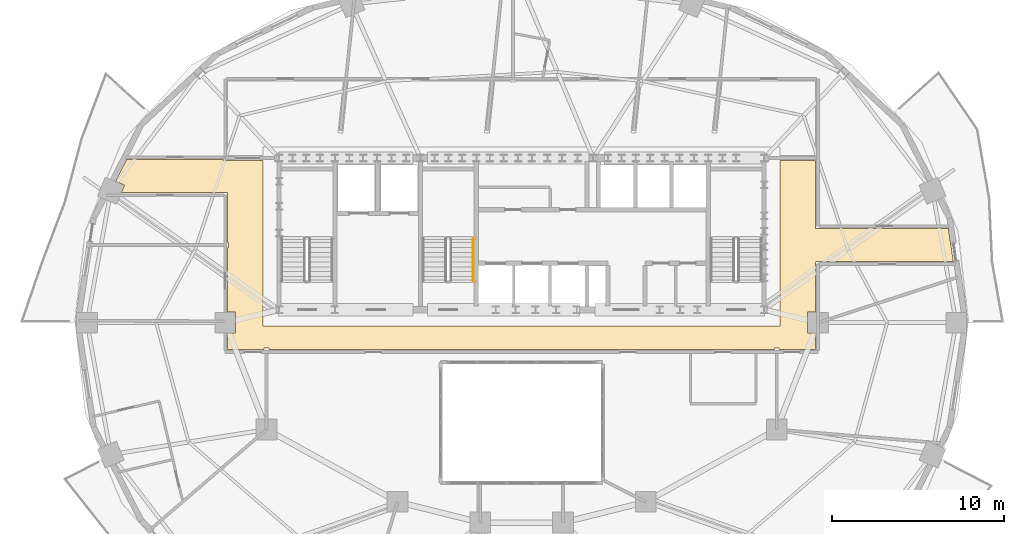
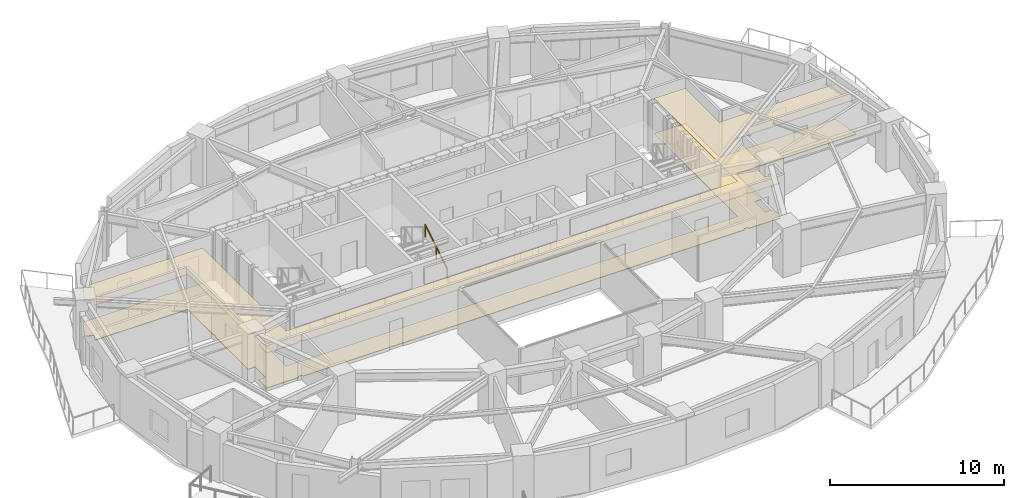
# One storey, part 11 of 13: 2 coverings, 1 railing.
"""IFC4 building model written with IfcOpenShell, lengths in metres."""

import ifcopenshell
import ifcopenshell.guid

model = None  # the IFC model being written
_history = None  # IfcOwnerHistory: only IFC2X3 demands one
_inside = {}  # id of a spatial element -> (the spatial element, [elements in it])
_under = {}  # id of a project, library or spatial element -> (it, [spatial elements below it])
_declared = {}  # id of a project -> (the project, [libraries it declares])
_typed = {}  # id of a type object -> (the type object, [elements of that type])
_made_of = {}  # id of a material, layer set ... -> (it, [elements and type objects made of it])


def new_model(schema):
    """Start an empty IFC model of exactly this schema.

    Asked for "IFC4X3", IfcOpenShell would pick the latest addendum, in which some entities
    have other attributes; the version numbers below select the first issue.
    IFC2X3 requires an IfcOwnerHistory on every rooted entity: one is made here for all.
    """
    global model, _history
    if schema == "IFC4X3":
        model = ifcopenshell.file(schema_version=(4, 3, 0, 0))
    else:
        model = ifcopenshell.file(schema=schema)
    _inside.clear()
    _under.clear()
    _declared.clear()
    _typed.clear()
    _made_of.clear()
    _history = None
    if model.schema == "IFC2X3":
        org = make("IfcOrganization", Name="unknown")
        user = make(
            "IfcPersonAndOrganization",
            ThePerson=make("IfcPerson", FamilyName="unknown"),
            TheOrganization=org,
        )
        app = make(
            "IfcApplication",
            ApplicationDeveloper=org,
            Version="unknown",
            ApplicationFullName="unknown",
            ApplicationIdentifier="unknown",
        )
        _history = make(
            "IfcOwnerHistory",
            OwningUser=user,
            OwningApplication=app,
            ChangeAction="ADDED",
            CreationDate=0,
        )
    return model


def make(cls, **values):
    """One entity of the class cls with the attributes given. An attribute that is None is left unset."""
    return model.create_entity(
        cls, **{name: value for name, value in values.items() if value is not None}
    )


def rooted(cls, **values):
    """An entity with a GlobalId (a new one), such as an element, a storey or a relation."""
    return make(cls, GlobalId=ifcopenshell.guid.new(), OwnerHistory=_history, **values)


def si_unit(unit_type, name, prefix=None):
    """IfcSIUnit, for example si_unit("LENGTHUNIT", "METRE", prefix="MILLI")."""
    return make("IfcSIUnit", UnitType=unit_type, Prefix=prefix, Name=name)


def assignment(units):
    """IfcUnitAssignment: the units of a project."""
    return None if units is None else make("IfcUnitAssignment", Units=units)


def point(xyz):
    """IfcCartesianPoint."""
    return None if xyz is None else make("IfcCartesianPoint", Coordinates=xyz)


def direction(xyz):
    """IfcDirection."""
    return None if xyz is None else make("IfcDirection", DirectionRatios=xyz)


def frame(location, z_axis=None, x_axis=None):
    """IfcAxis2Placement3D, a coordinate frame: its origin and axes. An axis left out is left unset."""
    return make(
        "IfcAxis2Placement3D",
        Location=point(location),
        Axis=direction(z_axis),
        RefDirection=direction(x_axis),
    )


def frame_2d(location, x_axis=None):
    """IfcAxis2Placement2D, a coordinate frame in the plane: its origin and x axis."""
    return make(
        "IfcAxis2Placement2D", Location=point(location), RefDirection=direction(x_axis)
    )


def origin():
    """The frame at (0, 0, 0) with its axes left unset."""
    return frame((0.0, 0.0, 0.0))


def origin_2d():
    """The frame at (0, 0) in the plane with its x axis left unset."""
    return frame_2d((0.0, 0.0))


def place(relative_to, where):
    """IfcLocalPlacement: puts the frame where relative to a parent placement (None: the world)."""
    return make(
        "IfcLocalPlacement", PlacementRelTo=relative_to, RelativePlacement=where
    )


def context(
    kind, dimensions, precision=None, world=None, true_north=None, identifier=None
):
    """IfcGeometricRepresentationContext, for example the 3D "Model" context."""
    return make(
        "IfcGeometricRepresentationContext",
        ContextIdentifier=identifier,
        ContextType=kind,
        CoordinateSpaceDimension=dimensions,
        Precision=precision,
        WorldCoordinateSystem=world,
        TrueNorth=true_north,
    )


def subcontext(parent, identifier, kind, view, scale=None):
    """IfcGeometricRepresentationSubContext, for example "Body" below "Model"."""
    return make(
        "IfcGeometricRepresentationSubContext",
        ContextIdentifier=identifier,
        ContextType=kind,
        ParentContext=parent,
        TargetScale=scale,
        TargetView=view,
    )


def project(units=None, contexts=None):
    """IfcProject with its units and contexts."""
    return rooted(
        "IfcProject",
        Name="project",
        RepresentationContexts=contexts,
        UnitsInContext=assignment(units),
    )


def spatial(cls, under=None, at=None, **own):
    """A site, building, storey or space (cls), placed at a placement, below another one or the project."""
    s = rooted(cls, ObjectPlacement=at, **own)
    if under is not None:
        _under.setdefault(under.id(), (under, []))[1].append(s)
    return s


def polyline(points):
    """IfcPolyline through the points."""
    return make("IfcPolyline", Points=[point(p) for p in points])


def profile(cls, at=None, kind="AREA", **sizes):
    """A parametric profile (cls). Its sizes go by their IFC names, for example OverallWidth=200.0."""
    return make(cls, ProfileType=kind, Position=at, **sizes)


def rectangle(**sizes):
    """IfcRectangleProfileDef."""
    return profile("IfcRectangleProfileDef", **sizes)


def outline(outer, holes=None, kind="AREA"):
    """IfcArbitraryClosedProfileDef: a profile drawn as a closed curve; with holes, ...WithVoids."""
    if holes is None:
        return make("IfcArbitraryClosedProfileDef", ProfileType=kind, OuterCurve=outer)
    return make(
        "IfcArbitraryProfileDefWithVoids",
        ProfileType=kind,
        OuterCurve=outer,
        InnerCurves=holes,
    )


def extrude(swept, where, along, depth):
    """IfcExtrudedAreaSolid: the profile swept, set in the frame where, extruded along a direction by depth."""
    return make(
        "IfcExtrudedAreaSolid",
        SweptArea=swept,
        Position=where,
        ExtrudedDirection=direction(along),
        Depth=depth,
    )


def shape(context_of_items, identifier, shape_type, items):
    """IfcShapeRepresentation: the items that make up one representation, for example the "Body"."""
    return make(
        "IfcShapeRepresentation",
        ContextOfItems=context_of_items,
        RepresentationIdentifier=identifier,
        RepresentationType=shape_type,
        Items=items,
    )


def material(Name=None, Category=None):
    """IfcMaterial."""
    return make("IfcMaterial", Name=Name, Category=Category)


def layer(
    of_material, thickness, ventilated=None, Name=None, Category=None, Priority=None
):
    """IfcMaterialLayer: one layer of a wall or slab, of a material (None: an air gap)."""
    return make(
        "IfcMaterialLayer",
        Material=of_material,
        LayerThickness=thickness,
        IsVentilated=ventilated,
        Name=Name,
        Category=Category,
        Priority=Priority,
    )


def layer_set(layers, Name=None):
    """IfcMaterialLayerSet."""
    return make("IfcMaterialLayerSet", MaterialLayers=layers, LayerSetName=Name)


def made_of(thing, what):
    """Note that an element or type object is made of a material, layer set ...; save() writes the relation."""
    if what is not None:
        _made_of.setdefault(what.id(), (what, []))[1].append(thing)
    return thing


def type_object(cls, material=None, **own):
    """A type object (cls), such as IfcWallType, which elements share."""
    return made_of(rooted(cls, **own), material)


def element(
    cls,
    number,
    at=None,
    inside=None,
    cuts=None,
    type_object=None,
    material=None,
    context=None,
    identifier="Body",
    shape_type=None,
    held_by="IfcProductDefinitionShape",
    body=None,
    shapes=None,
    **own,
):
    """One element of the class cls, such as IfcWall. Its Tag is "e" and its number.

    at: its placement. inside: the storey or other place that contains it. cuts: it is an
    opening in that element (IfcRelVoidsElement). A single representation is given by context,
    identifier, shape_type and body (its items); several are given by shapes. held_by: the class
    of the entity that holds the representations. save() writes the other relations.
    """
    e = rooted(cls, Tag="e%d" % number, ObjectPlacement=at, **own)
    if body is not None:
        shapes = [shape(context, identifier, shape_type, body)]
    if shapes is not None:
        e.Representation = make(held_by, Representations=shapes)
    if inside is not None:
        _inside.setdefault(inside.id(), (inside, []))[1].append(e)
    if cuts is not None:
        rooted(
            "IfcRelVoidsElement", RelatingBuildingElement=cuts, RelatedOpeningElement=e
        )
    if type_object is not None:
        _typed.setdefault(type_object.id(), (type_object, []))[1].append(e)
    return made_of(e, material)


def aggregate(whole, parts):
    """IfcRelAggregates: a whole, such as a stair, and the parts it consists of."""
    return rooted("IfcRelAggregates", RelatingObject=whole, RelatedObjects=parts)


def save(model, path):
    """Write the relations noted so far, then the file.

    IfcRelAggregates (storeys below a building ...), IfcRelContainedInSpatialStructure (elements
    in a storey), IfcRelDefinesByType, IfcRelAssociatesMaterial and IfcRelDeclares: one each for
    every whole, place, type object, material and project.
    """
    for whole, parts in _under.values():
        aggregate(whole, parts)
    for where, things in _inside.values():
        rooted(
            "IfcRelContainedInSpatialStructure",
            RelatedElements=things,
            RelatingStructure=where,
        )
    for kind, things in _typed.values():
        rooted("IfcRelDefinesByType", RelatedObjects=things, RelatingType=kind)
    for what, things in _made_of.values():
        rooted("IfcRelAssociatesMaterial", RelatedObjects=things, RelatingMaterial=what)
    for by, libraries in _declared.values():
        rooted("IfcRelDeclares", RelatingContext=by, RelatedDefinitions=libraries)
    model.write(path)


model = new_model("IFC4")

# Units and contexts
model_context = context("Model", 3, precision=1e-05, world=origin(), true_north=direction((0.0, 1.0)))
body_context = subcontext(model_context, "Body", "Model", "MODEL_VIEW")
ifc_project = project(units=[si_unit("LENGTHUNIT", "METRE"), si_unit("AREAUNIT", "SQUARE_METRE"), si_unit("VOLUMEUNIT", "CUBIC_METRE"), si_unit("PLANEANGLEUNIT", "RADIAN"), si_unit("MASSUNIT", "GRAM", prefix="KILO")], contexts=[model_context])

# Site, building, storey
site_placement = place(None, origin())
site = spatial("IfcSite", under=ifc_project, at=site_placement, CompositionType="ELEMENT")
building_placement = place(site_placement, origin())
building = spatial("IfcBuilding", under=site, at=building_placement, Name="Haldorwick Loom Tower", CompositionType="ELEMENT")
storey_placement = place(building_placement, frame((0.0, 0.0, 178.60009765625)))
storey = spatial("IfcBuildingStorey", under=building, at=storey_placement, Name="L48", CompositionType="ELEMENT", Elevation=178.60009765625)

# Coverings
ifc_material_1 = material(Name="Mineral Fibre Acoustic Ceiling Tile")
ifc_layer_1 = layer(ifc_material_1, 0.054931640625, Name="Mineral Fibre Acoustic Ceiling Tile")
ifc_layer_set_1 = layer_set([ifc_layer_1], Name="Mineral Fibre Acoustic Ceiling Tile")
covering_type_1 = type_object("IfcCoveringType", Name="ARC-COV-CEIL2", PredefinedType="CEILING", material=ifc_layer_set_1)
covering_1_placement = place(storey_placement, frame((0.0, 0.0, 2.4580078125)))
element("IfcCovering", 1, at=covering_1_placement, inside=storey, type_object=covering_type_1, Name="L48 Acoustic Suspended Ceiling 1", PredefinedType="CEILING", context=body_context, shape_type="SweptSolid", body=[
    extrude(outline(polyline([(12.439208984375, 34.19775390625), (12.958251953125, 33.982666015625), (12.77490234375, 33.5400390625), (18.919921875, 33.5400390625), (18.922119140625, 33.539794921875), (18.923828125, 33.53955078125), (18.92578125, 33.5390625), (18.927734375, 33.53857421875), (18.929443359375, 33.53759765625), (18.93115234375, 33.53662109375), (18.9326171875, 33.535400390625), (18.93408203125, 33.5341796875), (18.935546875, 33.53271484375), (18.9365234375, 33.531005859375), (18.9375, 33.529296875), (18.9384765625, 33.527587890625), (18.939208984375, 33.52587890625), (18.939697265625, 33.52392578125), (18.93994140625, 33.52197265625), (18.93994140625, 33.52001953125), (18.93994140625, 30.639892578125), (18.969970703125, 30.639892578125), (18.971923828125, 30.639892578125), (18.973876953125, 30.6396484375), (18.975830078125, 30.63916015625), (18.977783203125, 30.638427734375), (18.9794921875, 30.6376953125), (18.981201171875, 30.63671875), (18.982666015625, 30.635498046875), (18.984130859375, 30.634033203125), (18.985595703125, 30.6328125), (18.986572265625, 30.631103515625), (18.987548828125, 30.62939453125), (18.988525390625, 30.627685546875), (18.989013671875, 30.625732421875), (18.989501953125, 30.623779296875), (18.989990234375, 30.6220703125), (18.989990234375, 30.6201171875), (18.989990234375, 30.3798828125), (18.989990234375, 30.3779296875), (18.989501953125, 30.376220703125), (18.989013671875, 30.374267578125), (18.988525390625, 30.372314453125), (18.987548828125, 30.37060546875), (18.986572265625, 30.368896484375), (18.985595703125, 30.3671875), (18.984130859375, 30.365966796875), (18.982666015625, 30.364501953125), (18.981201171875, 30.36328125), (18.9794921875, 30.3623046875), (18.977783203125, 30.361572265625), (18.975830078125, 30.36083984375), (18.973876953125, 30.3603515625), (18.971923828125, 30.360107421875), (18.969970703125, 30.360107421875), (18.93994140625, 30.360107421875), (18.93994140625, 26.60791015625), (19.407958984375, 26.60791015625), (19.407958984375, 25.39208984375), (18.93994140625, 25.39208984375), (18.93994140625, 24.43994140625), (21.06005859375, 24.43994140625), (21.06005859375, 24.52001953125), (21.06005859375, 24.52197265625), (21.060302734375, 24.52392578125), (21.060791015625, 24.52587890625), (21.0615234375, 24.527587890625), (21.0625, 24.529296875), (21.0634765625, 24.531005859375), (21.064453125, 24.53271484375), (21.06591796875, 24.5341796875), (21.0673828125, 24.535400390625), (21.06884765625, 24.53662109375), (21.070556640625, 24.53759765625), (21.072265625, 24.53857421875), (21.07421875, 24.5390625), (21.076171875, 24.53955078125), (21.077880859375, 24.539794921875), (21.080078125, 24.5400390625), (21.320068359375, 24.5400390625), (21.322021484375, 24.539794921875), (21.323974609375, 24.53955078125), (21.32568359375, 24.5390625), (21.32763671875, 24.53857421875), (21.329345703125, 24.53759765625), (21.3310546875, 24.53662109375), (21.332763671875, 24.535400390625), (21.333984375, 24.5341796875), (21.33544921875, 24.53271484375), (21.336669921875, 24.531005859375), (21.337646484375, 24.529296875), (21.33837890625, 24.527587890625), (21.339111328125, 24.52587890625), (21.339599609375, 24.52392578125), (21.33984375, 24.52197265625), (21.340087890625, 24.52001953125), (21.340087890625, 24.43994140625), (50.659912109375, 24.43994140625), (50.659912109375, 24.52001953125), (50.66015625, 24.52197265625), (50.660400390625, 24.52392578125), (50.660888671875, 24.52587890625), (50.66162109375, 24.527587890625), (50.662353515625, 24.529296875), (50.663330078125, 24.531005859375), (50.66455078125, 24.53271484375), (50.666015625, 24.5341796875), (50.667236328125, 24.535400390625), (50.6689453125, 24.53662109375), (50.670654296875, 24.53759765625), (50.67236328125, 24.53857421875), (50.67431640625, 24.5390625), (50.676025390625, 24.53955078125), (50.677978515625, 24.539794921875), (50.679931640625, 24.5400390625), (50.919921875, 24.5400390625), (50.922119140625, 24.539794921875), (50.923828125, 24.53955078125), (50.92578125, 24.5390625), (50.927734375, 24.53857421875), (50.929443359375, 24.53759765625), (50.93115234375, 24.53662109375), (50.9326171875, 24.535400390625), (50.93408203125, 24.5341796875), (50.935546875, 24.53271484375), (50.9365234375, 24.531005859375), (50.9375, 24.529296875), (50.9384765625, 24.527587890625), (50.939208984375, 24.52587890625), (50.939697265625, 24.52392578125), (50.93994140625, 24.52197265625), (50.93994140625, 24.52001953125), (50.93994140625, 24.43994140625), (53.06005859375, 24.43994140625), (53.06005859375, 25.39208984375), (52.592041015625, 25.39208984375), (52.592041015625, 26.60791015625), (53.06005859375, 26.60791015625), (53.06005859375, 29.52001953125), (53.06005859375, 29.52197265625), (53.060302734375, 29.52392578125), (53.060791015625, 29.52587890625), (53.0615234375, 29.527587890625), (53.0625, 29.529296875), (53.0634765625, 29.531005859375), (53.064453125, 29.53271484375), (53.06591796875, 29.5341796875), (53.0673828125, 29.535400390625), (53.06884765625, 29.53662109375), (53.070556640625, 29.53759765625), (53.072265625, 29.53857421875), (53.07421875, 29.5390625), (53.076171875, 29.53955078125), (53.077880859375, 29.539794921875), (53.080078125, 29.5400390625), (61.051025390625, 29.5400390625), (60.758544921875, 31.4599609375), (53.080078125, 31.4599609375), (53.077880859375, 31.460205078125), (53.076171875, 31.46044921875), (53.07421875, 31.4609375), (53.072265625, 31.46142578125), (53.070556640625, 31.46240234375), (53.06884765625, 31.46337890625), (53.0673828125, 31.464599609375), (53.06591796875, 31.4658203125), (53.064453125, 31.46728515625), (53.0634765625, 31.468994140625), (53.0625, 31.470703125), (53.0615234375, 31.472412109375), (53.060791015625, 31.47412109375), (53.060302734375, 31.47607421875), (53.06005859375, 31.47802734375), (53.06005859375, 31.47998046875), (53.06005859375, 35.409912109375), (51.0, 35.409912109375), (51.0, 25.800048828125), (21.0, 25.800048828125), (21.0, 35.409912109375), (18.679931640625, 35.409912109375), (18.677978515625, 35.41015625), (18.676025390625, 35.410400390625), (18.67431640625, 35.410888671875), (18.67236328125, 35.41162109375), (18.670654296875, 35.412353515625), (18.6689453125, 35.413330078125), (18.667236328125, 35.41455078125), (18.666015625, 35.416015625), (18.66455078125, 35.417236328125), (18.663330078125, 35.4189453125), (18.662353515625, 35.420654296875), (18.66162109375, 35.42236328125), (18.660888671875, 35.42431640625), (18.660400390625, 35.426025390625), (18.66015625, 35.427978515625), (18.659912109375, 35.429931640625), (18.659912109375, 35.4599609375), (13.0810546875, 35.4599609375), (12.439208984375, 34.19775390625)])), origin(), (0.0, 0.0, 1.0), 0.054931640625),
])
ifc_material_2 = material(Name="Polished Aggregate Terrazzo Finish")
ifc_layer_2 = layer(ifc_material_2, 0.044921875, Name="Polished Aggregate Terrazzo Finish")
ifc_layer_set_2 = layer_set([ifc_layer_2], Name="Polished Aggregate Terrazzo Finish")
covering_type_2 = type_object("IfcCoveringType", Name="ARC-COV-FLOOR2", PredefinedType="FLOORING", material=ifc_layer_set_2)
covering_2_placement = place(storey_placement, origin())
element("IfcCovering", 2, at=covering_2_placement, inside=storey, type_object=covering_type_2, Name="L48 Floor Finish 1", PredefinedType="FLOORING", context=body_context, shape_type="SweptSolid", body=[
    extrude(outline(polyline([(12.439208984375, 34.19775390625), (12.958251953125, 33.982666015625), (12.77490234375, 33.5400390625), (18.919921875, 33.5400390625), (18.922119140625, 33.539794921875), (18.923828125, 33.53955078125), (18.92578125, 33.5390625), (18.927734375, 33.53857421875), (18.929443359375, 33.53759765625), (18.93115234375, 33.53662109375), (18.9326171875, 33.535400390625), (18.93408203125, 33.5341796875), (18.935546875, 33.53271484375), (18.9365234375, 33.531005859375), (18.9375, 33.529296875), (18.9384765625, 33.527587890625), (18.939208984375, 33.52587890625), (18.939697265625, 33.52392578125), (18.93994140625, 33.52197265625), (18.93994140625, 33.52001953125), (18.93994140625, 30.639892578125), (18.969970703125, 30.639892578125), (18.971923828125, 30.639892578125), (18.973876953125, 30.6396484375), (18.975830078125, 30.63916015625), (18.977783203125, 30.638427734375), (18.9794921875, 30.6376953125), (18.981201171875, 30.63671875), (18.982666015625, 30.635498046875), (18.984130859375, 30.634033203125), (18.985595703125, 30.6328125), (18.986572265625, 30.631103515625), (18.987548828125, 30.62939453125), (18.988525390625, 30.627685546875), (18.989013671875, 30.625732421875), (18.989501953125, 30.623779296875), (18.989990234375, 30.6220703125), (18.989990234375, 30.6201171875), (18.989990234375, 30.3798828125), (18.989990234375, 30.3779296875), (18.989501953125, 30.376220703125), (18.989013671875, 30.374267578125), (18.988525390625, 30.372314453125), (18.987548828125, 30.37060546875), (18.986572265625, 30.368896484375), (18.985595703125, 30.3671875), (18.984130859375, 30.365966796875), (18.982666015625, 30.364501953125), (18.981201171875, 30.36328125), (18.9794921875, 30.3623046875), (18.977783203125, 30.361572265625), (18.975830078125, 30.36083984375), (18.973876953125, 30.3603515625), (18.971923828125, 30.360107421875), (18.969970703125, 30.360107421875), (18.93994140625, 30.360107421875), (18.93994140625, 26.60791015625), (19.407958984375, 26.60791015625), (19.407958984375, 25.39208984375), (18.93994140625, 25.39208984375), (18.93994140625, 24.43994140625), (21.06005859375, 24.43994140625), (21.06005859375, 24.52001953125), (21.06005859375, 24.52197265625), (21.060302734375, 24.52392578125), (21.060791015625, 24.52587890625), (21.0615234375, 24.527587890625), (21.0625, 24.529296875), (21.0634765625, 24.531005859375), (21.064453125, 24.53271484375), (21.06591796875, 24.5341796875), (21.0673828125, 24.535400390625), (21.06884765625, 24.53662109375), (21.070556640625, 24.53759765625), (21.072265625, 24.53857421875), (21.07421875, 24.5390625), (21.076171875, 24.53955078125), (21.077880859375, 24.539794921875), (21.080078125, 24.5400390625), (21.320068359375, 24.5400390625), (21.322021484375, 24.539794921875), (21.323974609375, 24.53955078125), (21.32568359375, 24.5390625), (21.32763671875, 24.53857421875), (21.329345703125, 24.53759765625), (21.3310546875, 24.53662109375), (21.332763671875, 24.535400390625), (21.333984375, 24.5341796875), (21.33544921875, 24.53271484375), (21.336669921875, 24.531005859375), (21.337646484375, 24.529296875), (21.33837890625, 24.527587890625), (21.339111328125, 24.52587890625), (21.339599609375, 24.52392578125), (21.33984375, 24.52197265625), (21.340087890625, 24.52001953125), (21.340087890625, 24.43994140625), (50.659912109375, 24.43994140625), (50.659912109375, 24.52001953125), (50.66015625, 24.52197265625), (50.660400390625, 24.52392578125), (50.660888671875, 24.52587890625), (50.66162109375, 24.527587890625), (50.662353515625, 24.529296875), (50.663330078125, 24.531005859375), (50.66455078125, 24.53271484375), (50.666015625, 24.5341796875), (50.667236328125, 24.535400390625), (50.6689453125, 24.53662109375), (50.670654296875, 24.53759765625), (50.67236328125, 24.53857421875), (50.67431640625, 24.5390625), (50.676025390625, 24.53955078125), (50.677978515625, 24.539794921875), (50.679931640625, 24.5400390625), (50.919921875, 24.5400390625), (50.922119140625, 24.539794921875), (50.923828125, 24.53955078125), (50.92578125, 24.5390625), (50.927734375, 24.53857421875), (50.929443359375, 24.53759765625), (50.93115234375, 24.53662109375), (50.9326171875, 24.535400390625), (50.93408203125, 24.5341796875), (50.935546875, 24.53271484375), (50.9365234375, 24.531005859375), (50.9375, 24.529296875), (50.9384765625, 24.527587890625), (50.939208984375, 24.52587890625), (50.939697265625, 24.52392578125), (50.93994140625, 24.52197265625), (50.93994140625, 24.52001953125), (50.93994140625, 24.43994140625), (53.06005859375, 24.43994140625), (53.06005859375, 25.39208984375), (52.592041015625, 25.39208984375), (52.592041015625, 26.60791015625), (53.06005859375, 26.60791015625), (53.06005859375, 29.52001953125), (53.06005859375, 29.52197265625), (53.060302734375, 29.52392578125), (53.060791015625, 29.52587890625), (53.0615234375, 29.527587890625), (53.0625, 29.529296875), (53.0634765625, 29.531005859375), (53.064453125, 29.53271484375), (53.06591796875, 29.5341796875), (53.0673828125, 29.535400390625), (53.06884765625, 29.53662109375), (53.070556640625, 29.53759765625), (53.072265625, 29.53857421875), (53.07421875, 29.5390625), (53.076171875, 29.53955078125), (53.077880859375, 29.539794921875), (53.080078125, 29.5400390625), (61.051025390625, 29.5400390625), (60.758544921875, 31.4599609375), (53.080078125, 31.4599609375), (53.077880859375, 31.460205078125), (53.076171875, 31.46044921875), (53.07421875, 31.4609375), (53.072265625, 31.46142578125), (53.070556640625, 31.46240234375), (53.06884765625, 31.46337890625), (53.0673828125, 31.464599609375), (53.06591796875, 31.4658203125), (53.064453125, 31.46728515625), (53.0634765625, 31.468994140625), (53.0625, 31.470703125), (53.0615234375, 31.472412109375), (53.060791015625, 31.47412109375), (53.060302734375, 31.47607421875), (53.06005859375, 31.47802734375), (53.06005859375, 31.47998046875), (53.06005859375, 35.409912109375), (51.0, 35.409912109375), (51.0, 25.800048828125), (21.0, 25.800048828125), (21.0, 35.409912109375), (18.679931640625, 35.409912109375), (18.677978515625, 35.41015625), (18.676025390625, 35.410400390625), (18.67431640625, 35.410888671875), (18.67236328125, 35.41162109375), (18.670654296875, 35.412353515625), (18.6689453125, 35.413330078125), (18.667236328125, 35.41455078125), (18.666015625, 35.416015625), (18.66455078125, 35.417236328125), (18.663330078125, 35.4189453125), (18.662353515625, 35.420654296875), (18.66162109375, 35.42236328125), (18.660888671875, 35.42431640625), (18.660400390625, 35.426025390625), (18.66015625, 35.427978515625), (18.659912109375, 35.429931640625), (18.659912109375, 35.4599609375), (13.0810546875, 35.4599609375), (12.439208984375, 34.19775390625)])), origin(), (0.0, 0.0, 1.0), 0.044921875),
])

# Railing
ifc_material_3 = material(Name="Steel CSA G40.21 350W", Category="steel")
railing_type = type_object("IfcRailingType", Name="ARC-RLG-HAND092", PredefinedType="HANDRAIL", material=ifc_material_3)
railing_placement = place(storey_placement, frame((33.199951171875, 28.39990234375, 0.17236328125)))
element("IfcRailing", 3, at=railing_placement, inside=storey, type_object=railing_type, Name="L48 ST-03 stair handrail 1", PredefinedType="HANDRAIL", context=body_context, shape_type="SweptSolid", body=[
    extrude(rectangle(XDim=0.048095703125, YDim=0.048095703125, at=origin_2d()), frame((0.0, 0.0, 0.8759765625), z_axis=(0.0, 0.851400495292, 0.524516154772), x_axis=(-1.0, 0.0, 0.0)), (0.0, 0.0, 1.0), 2.9599609375),
    extrude(rectangle(XDim=0.0419921875, YDim=0.0419921875, at=origin_2d()), origin(), (0.0, 0.0, 1.0), 0.851806640625),
    extrude(rectangle(XDim=0.0419921875, YDim=0.0419921875, at=origin_2d()), frame((0.0, 1.260009765625, 0.7763671875)), (0.0, 0.0, 1.0), 0.851806640625),
    extrude(rectangle(XDim=0.0419921875, YDim=0.0419921875, at=origin_2d()), frame((0.0, 2.52001953125, 1.552490234375)), (0.0, 0.0, 1.0), 0.851806640625),
])

save(model, "model.ifc")
